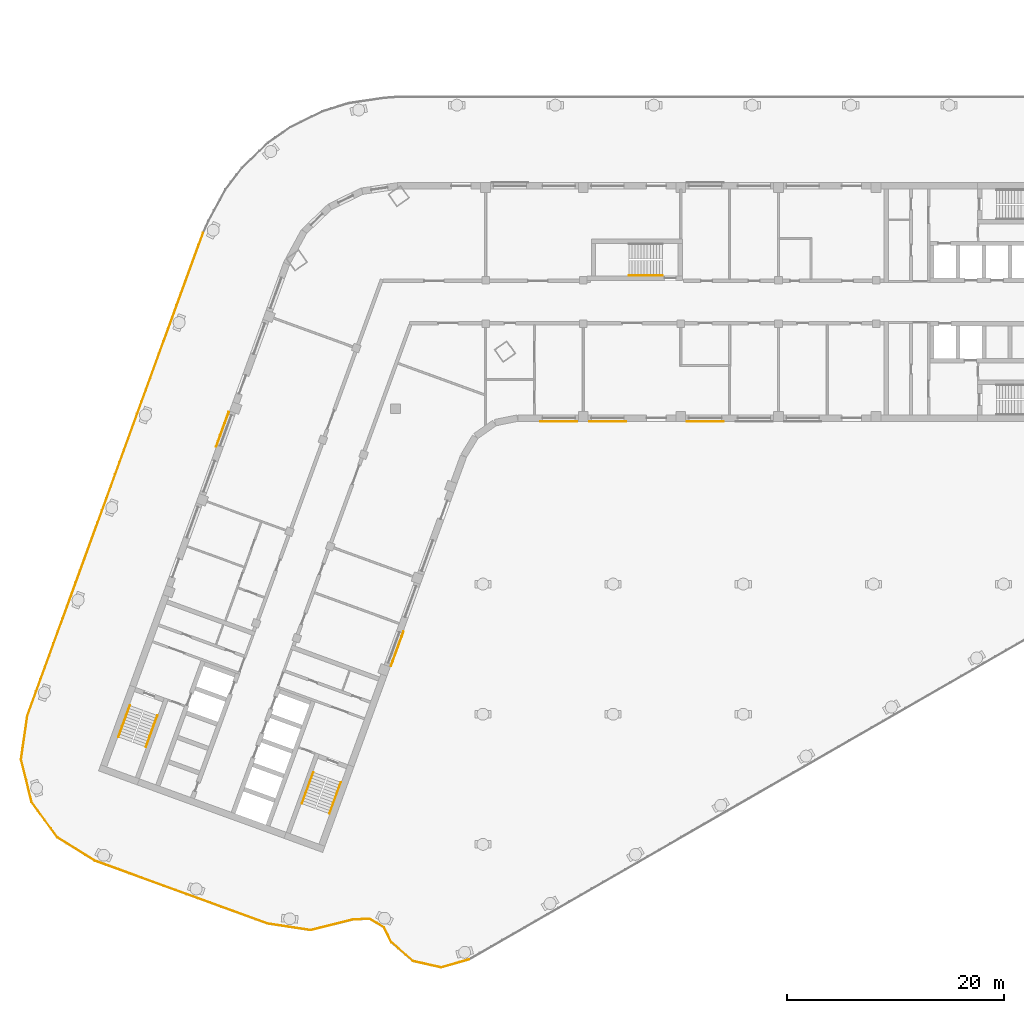
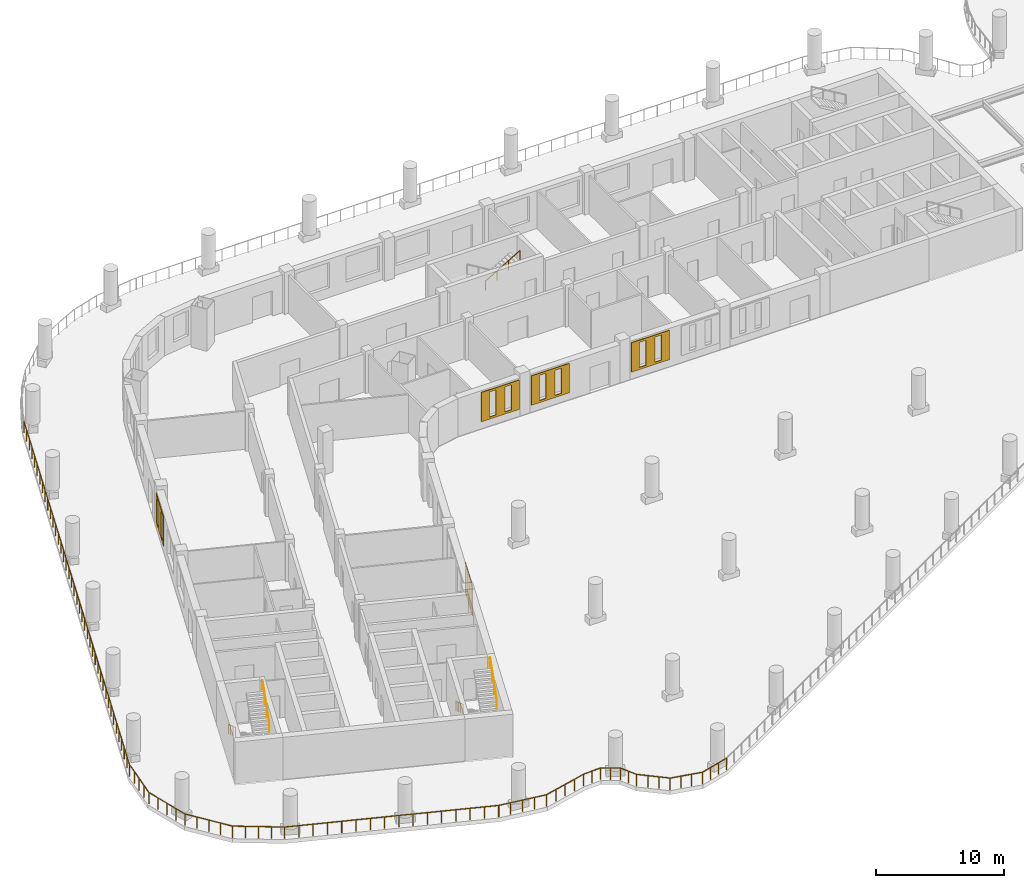
# One storey, part 13 of 18: 8 railings, 5 coverings.
"""IFC4 building model written with IfcOpenShell, lengths in metres."""

import ifcopenshell
import ifcopenshell.guid

model = None  # the IFC model being written
_history = None  # IfcOwnerHistory: only IFC2X3 demands one
_inside = {}  # id of a spatial element -> (the spatial element, [elements in it])
_under = {}  # id of a project, library or spatial element -> (it, [spatial elements below it])
_declared = {}  # id of a project -> (the project, [libraries it declares])
_typed = {}  # id of a type object -> (the type object, [elements of that type])
_made_of = {}  # id of a material, layer set ... -> (it, [elements and type objects made of it])


def new_model(schema):
    """Start an empty IFC model of exactly this schema.

    Asked for "IFC4X3", IfcOpenShell would pick the latest addendum, in which some entities
    have other attributes; the version numbers below select the first issue.
    IFC2X3 requires an IfcOwnerHistory on every rooted entity: one is made here for all.
    """
    global model, _history
    if schema == "IFC4X3":
        model = ifcopenshell.file(schema_version=(4, 3, 0, 0))
    else:
        model = ifcopenshell.file(schema=schema)
    _inside.clear()
    _under.clear()
    _declared.clear()
    _typed.clear()
    _made_of.clear()
    _history = None
    if model.schema == "IFC2X3":
        org = make("IfcOrganization", Name="unknown")
        user = make(
            "IfcPersonAndOrganization",
            ThePerson=make("IfcPerson", FamilyName="unknown"),
            TheOrganization=org,
        )
        app = make(
            "IfcApplication",
            ApplicationDeveloper=org,
            Version="unknown",
            ApplicationFullName="unknown",
            ApplicationIdentifier="unknown",
        )
        _history = make(
            "IfcOwnerHistory",
            OwningUser=user,
            OwningApplication=app,
            ChangeAction="ADDED",
            CreationDate=0,
        )
    return model


def make(cls, **values):
    """One entity of the class cls with the attributes given. An attribute that is None is left unset."""
    return model.create_entity(
        cls, **{name: value for name, value in values.items() if value is not None}
    )


def rooted(cls, **values):
    """An entity with a GlobalId (a new one), such as an element, a storey or a relation."""
    return make(cls, GlobalId=ifcopenshell.guid.new(), OwnerHistory=_history, **values)


def si_unit(unit_type, name, prefix=None):
    """IfcSIUnit, for example si_unit("LENGTHUNIT", "METRE", prefix="MILLI")."""
    return make("IfcSIUnit", UnitType=unit_type, Prefix=prefix, Name=name)


def assignment(units):
    """IfcUnitAssignment: the units of a project."""
    return None if units is None else make("IfcUnitAssignment", Units=units)


def point(xyz):
    """IfcCartesianPoint."""
    return None if xyz is None else make("IfcCartesianPoint", Coordinates=xyz)


def direction(xyz):
    """IfcDirection."""
    return None if xyz is None else make("IfcDirection", DirectionRatios=xyz)


def frame(location, z_axis=None, x_axis=None):
    """IfcAxis2Placement3D, a coordinate frame: its origin and axes. An axis left out is left unset."""
    return make(
        "IfcAxis2Placement3D",
        Location=point(location),
        Axis=direction(z_axis),
        RefDirection=direction(x_axis),
    )


def frame_2d(location, x_axis=None):
    """IfcAxis2Placement2D, a coordinate frame in the plane: its origin and x axis."""
    return make(
        "IfcAxis2Placement2D", Location=point(location), RefDirection=direction(x_axis)
    )


def origin():
    """The frame at (0, 0, 0) with its axes left unset."""
    return frame((0.0, 0.0, 0.0))


def origin_2d():
    """The frame at (0, 0) in the plane with its x axis left unset."""
    return frame_2d((0.0, 0.0))


def place(relative_to, where):
    """IfcLocalPlacement: puts the frame where relative to a parent placement (None: the world)."""
    return make(
        "IfcLocalPlacement", PlacementRelTo=relative_to, RelativePlacement=where
    )


def context(
    kind, dimensions, precision=None, world=None, true_north=None, identifier=None
):
    """IfcGeometricRepresentationContext, for example the 3D "Model" context."""
    return make(
        "IfcGeometricRepresentationContext",
        ContextIdentifier=identifier,
        ContextType=kind,
        CoordinateSpaceDimension=dimensions,
        Precision=precision,
        WorldCoordinateSystem=world,
        TrueNorth=true_north,
    )


def subcontext(parent, identifier, kind, view, scale=None):
    """IfcGeometricRepresentationSubContext, for example "Body" below "Model"."""
    return make(
        "IfcGeometricRepresentationSubContext",
        ContextIdentifier=identifier,
        ContextType=kind,
        ParentContext=parent,
        TargetScale=scale,
        TargetView=view,
    )


def project(units=None, contexts=None):
    """IfcProject with its units and contexts."""
    return rooted(
        "IfcProject",
        Name="project",
        RepresentationContexts=contexts,
        UnitsInContext=assignment(units),
    )


def spatial(cls, under=None, at=None, **own):
    """A site, building, storey or space (cls), placed at a placement, below another one or the project."""
    s = rooted(cls, ObjectPlacement=at, **own)
    if under is not None:
        _under.setdefault(under.id(), (under, []))[1].append(s)
    return s


def polyline(points):
    """IfcPolyline through the points."""
    return make("IfcPolyline", Points=[point(p) for p in points])


def profile(cls, at=None, kind="AREA", **sizes):
    """A parametric profile (cls). Its sizes go by their IFC names, for example OverallWidth=200.0."""
    return make(cls, ProfileType=kind, Position=at, **sizes)


def circle(**sizes):
    """IfcCircleProfileDef."""
    return profile("IfcCircleProfileDef", **sizes)


def outline(outer, holes=None, kind="AREA"):
    """IfcArbitraryClosedProfileDef: a profile drawn as a closed curve; with holes, ...WithVoids."""
    if holes is None:
        return make("IfcArbitraryClosedProfileDef", ProfileType=kind, OuterCurve=outer)
    return make(
        "IfcArbitraryProfileDefWithVoids",
        ProfileType=kind,
        OuterCurve=outer,
        InnerCurves=holes,
    )


def extrude(swept, where, along, depth):
    """IfcExtrudedAreaSolid: the profile swept, set in the frame where, extruded along a direction by depth."""
    return make(
        "IfcExtrudedAreaSolid",
        SweptArea=swept,
        Position=where,
        ExtrudedDirection=direction(along),
        Depth=depth,
    )


def shape(context_of_items, identifier, shape_type, items):
    """IfcShapeRepresentation: the items that make up one representation, for example the "Body"."""
    return make(
        "IfcShapeRepresentation",
        ContextOfItems=context_of_items,
        RepresentationIdentifier=identifier,
        RepresentationType=shape_type,
        Items=items,
    )


def material(Name=None, Category=None):
    """IfcMaterial."""
    return make("IfcMaterial", Name=Name, Category=Category)


def material_profile(
    of_material, cross_section, Name=None, Category=None, Priority=None
):
    """IfcMaterialProfile: a cross section and its material."""
    return make(
        "IfcMaterialProfile",
        Name=Name,
        Material=of_material,
        Profile=cross_section,
        Priority=Priority,
        Category=Category,
    )


def profile_set(profiles, Name=None, composite=None):
    """IfcMaterialProfileSet."""
    return make(
        "IfcMaterialProfileSet",
        Name=Name,
        MaterialProfiles=profiles,
        CompositeProfile=composite,
    )


def made_of(thing, what):
    """Note that an element or type object is made of a material, layer set ...; save() writes the relation."""
    if what is not None:
        _made_of.setdefault(what.id(), (what, []))[1].append(thing)
    return thing


def type_object(cls, material=None, **own):
    """A type object (cls), such as IfcWallType, which elements share."""
    return made_of(rooted(cls, **own), material)


def element(
    cls,
    number,
    at=None,
    inside=None,
    cuts=None,
    type_object=None,
    material=None,
    context=None,
    identifier="Body",
    shape_type=None,
    held_by="IfcProductDefinitionShape",
    body=None,
    shapes=None,
    **own,
):
    """One element of the class cls, such as IfcWall. Its Tag is "e" and its number.

    at: its placement. inside: the storey or other place that contains it. cuts: it is an
    opening in that element (IfcRelVoidsElement). A single representation is given by context,
    identifier, shape_type and body (its items); several are given by shapes. held_by: the class
    of the entity that holds the representations. save() writes the other relations.
    """
    e = rooted(cls, Tag="e%d" % number, ObjectPlacement=at, **own)
    if body is not None:
        shapes = [shape(context, identifier, shape_type, body)]
    if shapes is not None:
        e.Representation = make(held_by, Representations=shapes)
    if inside is not None:
        _inside.setdefault(inside.id(), (inside, []))[1].append(e)
    if cuts is not None:
        rooted(
            "IfcRelVoidsElement", RelatingBuildingElement=cuts, RelatedOpeningElement=e
        )
    if type_object is not None:
        _typed.setdefault(type_object.id(), (type_object, []))[1].append(e)
    return made_of(e, material)


def aggregate(whole, parts):
    """IfcRelAggregates: a whole, such as a stair, and the parts it consists of."""
    return rooted("IfcRelAggregates", RelatingObject=whole, RelatedObjects=parts)


def save(model, path):
    """Write the relations noted so far, then the file.

    IfcRelAggregates (storeys below a building ...), IfcRelContainedInSpatialStructure (elements
    in a storey), IfcRelDefinesByType, IfcRelAssociatesMaterial and IfcRelDeclares: one each for
    every whole, place, type object, material and project.
    """
    for whole, parts in _under.values():
        aggregate(whole, parts)
    for where, things in _inside.values():
        rooted(
            "IfcRelContainedInSpatialStructure",
            RelatedElements=things,
            RelatingStructure=where,
        )
    for kind, things in _typed.values():
        rooted("IfcRelDefinesByType", RelatedObjects=things, RelatingType=kind)
    for what, things in _made_of.values():
        rooted("IfcRelAssociatesMaterial", RelatedObjects=things, RelatingMaterial=what)
    for by, libraries in _declared.values():
        rooted("IfcRelDeclares", RelatingContext=by, RelatedDefinitions=libraries)
    model.write(path)


model = new_model("IFC4")

# Units and contexts
model_context = context("Model", 3, precision=1e-05, world=origin(), true_north=direction((0.0, 1.0)))
body_context = subcontext(model_context, "Body", "Model", "MODEL_VIEW")
ifc_project = project(units=[si_unit("LENGTHUNIT", "METRE"), si_unit("AREAUNIT", "SQUARE_METRE"), si_unit("VOLUMEUNIT", "CUBIC_METRE"), si_unit("PLANEANGLEUNIT", "RADIAN"), si_unit("MASSUNIT", "GRAM", prefix="KILO")], contexts=[model_context])

# Site, building, storey
site_placement = place(None, origin())
site = spatial("IfcSite", under=ifc_project, at=site_placement, CompositionType="ELEMENT")
building_placement = place(site_placement, origin())
building = spatial("IfcBuilding", under=site, at=building_placement, Name="Skarvind Civic Tower", CompositionType="ELEMENT")
storey_placement = place(building_placement, frame((0.0, 0.0, 27.5)))
storey = spatial("IfcBuildingStorey", under=building, at=storey_placement, Name="L05", CompositionType="ELEMENT", Elevation=27.5)

# Railings
ifc_material_1 = material(Name="Stainless steel balustrade", Category="steel")
railing_type_1 = type_object("IfcRailingType", Name="GR1 GUARD 1100", PredefinedType="GUARDRAIL", material=ifc_material_1)
railing_1_placement = place(storey_placement, frame((47.569580078125, 67.233154296875, 0.0)))
element("IfcRailing", 1, at=railing_1_placement, inside=storey, type_object=railing_type_1, Name="PODIUM ROOF TERRACE GUARD", PredefinedType="GUARDRAIL", context=body_context, shape_type="SweptSolid", body=[
    extrude(circle(Radius=0.02392578125, at=origin_2d()), frame((0.0, 0.0, 1.076171875), z_axis=(-0.755807561492, 0.654793807233, 0.0), x_axis=(-0.654793807233, -0.755807561492, 0.0)), (0.0, 0.0, 1.0), 2.6513671875),
    extrude(circle(Radius=0.02392578125, at=origin_2d()), frame((-2.00390625, 1.736083984375, 1.076171875), z_axis=(-0.435716587879, 0.900083915559, 0.0), x_axis=(-0.900083915559, -0.435716587879, 0.0)), (0.0, 0.0, 1.0), 1.516845703125),
    extrude(circle(Radius=0.02392578125, at=origin_2d()), frame((-2.664794921875, 3.101318359375, 1.076171875), z_axis=(-0.859465608648, 0.511193571508, 0.0), x_axis=(-0.511193571508, -0.859465608648, 0.0)), (0.0, 0.0, 1.0), 1.5673828125),
    extrude(circle(Radius=0.02392578125, at=origin_2d()), frame((-4.011962890625, 3.902587890625, 1.076171875), z_axis=(-0.998915823744, -0.046552949132, 0.0), x_axis=(0.046552949132, -0.998915823744, 0.0)), (0.0, 0.0, 1.0), 1.547119140625),
    extrude(circle(Radius=0.02392578125, at=origin_2d()), frame((-5.557373046875, 3.83056640625, 1.076171875), z_axis=(-0.970381309987, -0.241578379055, 0.0), x_axis=(0.241578379055, -0.970381309987, 0.0)), (0.0, 0.0, 1.0), 4.021240234375),
    extrude(circle(Radius=0.02392578125, at=origin_2d()), frame((-9.45947265625, 2.859130859375, 1.076171875), z_axis=(-0.98856906932, 0.150768681045, 0.0), x_axis=(-0.150768681045, -0.98856906932, 0.0)), (0.0, 0.0, 1.0), 4.001220703125),
    extrude(circle(Radius=0.02392578125, at=origin_2d()), frame((-13.4150390625, 3.46240234375, 1.076171875), z_axis=(-0.939691525945, 0.34202315136, 0.0), x_axis=(-0.34202315136, -0.939691525945, 0.0)), (0.0, 0.0, 1.0), 16.93603515625),
    extrude(circle(Radius=0.02099609375, at=origin_2d()), origin(), (0.0, 0.0, 1.0), 1.052001953125),
    extrude(circle(Radius=0.02099609375, at=origin_2d()), frame((-0.66796875, 0.57861328125, 0.0)), (0.0, 0.0, 1.0), 1.052001953125),
    extrude(circle(Radius=0.02099609375, at=origin_2d()), frame((-1.3359375, 1.157470703125, 0.0)), (0.0, 0.0, 1.0), 1.052001953125),
    extrude(circle(Radius=0.02099609375, at=origin_2d()), frame((-2.00390625, 1.736083984375, 0.0)), (0.0, 0.0, 1.0), 1.052001953125),
    extrude(circle(Radius=0.02099609375, at=origin_2d()), frame((-2.33447265625, 2.418701171875, 0.0)), (0.0, 0.0, 1.0), 1.052001953125),
    extrude(circle(Radius=0.02099609375, at=origin_2d()), frame((-2.664794921875, 3.101318359375, 0.0)), (0.0, 0.0, 1.0), 1.052001953125),
    extrude(circle(Radius=0.02099609375, at=origin_2d()), frame((-3.33837890625, 3.501953125, 0.0)), (0.0, 0.0, 1.0), 1.052001953125),
    extrude(circle(Radius=0.02099609375, at=origin_2d()), frame((-4.011962890625, 3.902587890625, 0.0)), (0.0, 0.0, 1.0), 1.052001953125),
    extrude(circle(Radius=0.02099609375, at=origin_2d()), frame((-4.78466796875, 3.86669921875, 0.0)), (0.0, 0.0, 1.0), 1.052001953125),
    extrude(circle(Radius=0.02099609375, at=origin_2d()), frame((-5.557373046875, 3.83056640625, 0.0)), (0.0, 0.0, 1.0), 1.052001953125),
    extrude(circle(Radius=0.02099609375, at=origin_2d()), frame((-6.532958984375, 3.587646484375, 0.0)), (0.0, 0.0, 1.0), 1.052001953125),
    extrude(circle(Radius=0.02099609375, at=origin_2d()), frame((-7.50830078125, 3.3447265625, 0.0)), (0.0, 0.0, 1.0), 1.052001953125),
    extrude(circle(Radius=0.02099609375, at=origin_2d()), frame((-8.48388671875, 3.10205078125, 0.0)), (0.0, 0.0, 1.0), 1.052001953125),
    extrude(circle(Radius=0.02099609375, at=origin_2d()), frame((-9.45947265625, 2.859130859375, 0.0)), (0.0, 0.0, 1.0), 1.052001953125),
    extrude(circle(Radius=0.02099609375, at=origin_2d()), frame((-10.4482421875, 3.010009765625, 0.0)), (0.0, 0.0, 1.0), 1.052001953125),
    extrude(circle(Radius=0.02099609375, at=origin_2d()), frame((-11.437255859375, 3.16064453125, 0.0)), (0.0, 0.0, 1.0), 1.052001953125),
    extrude(circle(Radius=0.02099609375, at=origin_2d()), frame((-12.42626953125, 3.3115234375, 0.0)), (0.0, 0.0, 1.0), 1.052001953125),
    extrude(circle(Radius=0.02099609375, at=origin_2d()), frame((-13.4150390625, 3.46240234375, 0.0)), (0.0, 0.0, 1.0), 1.052001953125),
    extrude(circle(Radius=0.02099609375, at=origin_2d()), frame((-14.47607421875, 3.8486328125, 0.0)), (0.0, 0.0, 1.0), 1.052001953125),
    extrude(circle(Radius=0.02099609375, at=origin_2d()), frame((-15.536865234375, 4.234619140625, 0.0)), (0.0, 0.0, 1.0), 1.052001953125),
    extrude(circle(Radius=0.02099609375, at=origin_2d()), frame((-16.597900390625, 4.620849609375, 0.0)), (0.0, 0.0, 1.0), 1.052001953125),
    extrude(circle(Radius=0.02099609375, at=origin_2d()), frame((-17.658935546875, 5.007080078125, 0.0)), (0.0, 0.0, 1.0), 1.052001953125),
    extrude(circle(Radius=0.02099609375, at=origin_2d()), frame((-18.719970703125, 5.393310546875, 0.0)), (0.0, 0.0, 1.0), 1.052001953125),
    extrude(circle(Radius=0.02099609375, at=origin_2d()), frame((-19.78076171875, 5.779296875, 0.0)), (0.0, 0.0, 1.0), 1.052001953125),
    extrude(circle(Radius=0.02099609375, at=origin_2d()), frame((-20.841796875, 6.16552734375, 0.0)), (0.0, 0.0, 1.0), 1.052001953125),
    extrude(circle(Radius=0.02099609375, at=origin_2d()), frame((-21.90283203125, 6.5517578125, 0.0)), (0.0, 0.0, 1.0), 1.052001953125),
    extrude(circle(Radius=0.02099609375, at=origin_2d()), frame((-22.9638671875, 6.93798828125, 0.0)), (0.0, 0.0, 1.0), 1.052001953125),
    extrude(circle(Radius=0.02099609375, at=origin_2d()), frame((-24.024658203125, 7.323974609375, 0.0)), (0.0, 0.0, 1.0), 1.052001953125),
    extrude(circle(Radius=0.02099609375, at=origin_2d()), frame((-25.085693359375, 7.710205078125, 0.0)), (0.0, 0.0, 1.0), 1.052001953125),
    extrude(circle(Radius=0.02099609375, at=origin_2d()), frame((-26.146728515625, 8.096435546875, 0.0)), (0.0, 0.0, 1.0), 1.052001953125),
    extrude(circle(Radius=0.02099609375, at=origin_2d()), frame((-27.207763671875, 8.482666015625, 0.0)), (0.0, 0.0, 1.0), 1.052001953125),
    extrude(circle(Radius=0.02099609375, at=origin_2d()), frame((-28.2685546875, 8.86865234375, 0.0)), (0.0, 0.0, 1.0), 1.052001953125),
    extrude(circle(Radius=0.02099609375, at=origin_2d()), frame((-29.32958984375, 9.2548828125, 0.0)), (0.0, 0.0, 1.0), 1.052001953125),
])
railing_2_placement = place(storey_placement, frame((18.239990234375, 76.488037109375, 0.0)))
element("IfcRailing", 2, at=railing_2_placement, inside=storey, type_object=railing_type_1, Name="PODIUM ROOF TERRACE GUARD", PredefinedType="GUARDRAIL", context=body_context, shape_type="SweptSolid", body=[
    extrude(circle(Radius=0.02392578125, at=origin_2d()), frame((0.0, 0.0, 1.076171875), z_axis=(-0.849695884496, 0.527273082824, 0.0), x_axis=(-0.527273082824, -0.849695884496, 0.0)), (0.0, 0.0, 1.0), 4.061767578125),
    extrude(circle(Radius=0.02392578125, at=origin_2d()), frame((-3.451171875, 2.1416015625, 1.076171875), z_axis=(-0.588594309759, 0.808428561172, 0.0), x_axis=(-0.808428561172, -0.588594309759, 0.0)), (0.0, 0.0, 1.0), 4.052490234375),
    extrude(circle(Radius=0.02392578125, at=origin_2d()), frame((-5.83642578125, 5.417724609375, 1.076171875), z_axis=(-0.240933395477, 0.970541652349, 0.0), x_axis=(-0.970541652349, -0.240933395477, 0.0)), (0.0, 0.0, 1.0), 4.05224609375),
    extrude(circle(Radius=0.02392578125, at=origin_2d()), frame((-6.812744140625, 9.3505859375, 1.076171875), z_axis=(0.142220776021, 0.989834961429, 0.0), x_axis=(-0.989834961429, 0.142220776021, 0.0)), (0.0, 0.0, 1.0), 4.0615234375),
    extrude(circle(Radius=0.02392578125, at=origin_2d()), frame((-6.235107421875, 13.370849609375, 1.076171875), z_axis=(0.3420204203, 0.939692519976, 0.0), x_axis=(-0.939692519976, 0.3420204203, 0.0)), (0.0, 0.0, 1.0), 47.350341796875),
    extrude(circle(Radius=0.02099609375, at=origin_2d()), origin(), (0.0, 0.0, 1.0), 1.052001953125),
    extrude(circle(Radius=0.02099609375, at=origin_2d()), frame((-0.86279296875, 0.535400390625, 0.0)), (0.0, 0.0, 1.0), 1.052001953125),
    extrude(circle(Radius=0.02099609375, at=origin_2d()), frame((-1.7255859375, 1.07080078125, 0.0)), (0.0, 0.0, 1.0), 1.052001953125),
    extrude(circle(Radius=0.02099609375, at=origin_2d()), frame((-2.58837890625, 1.606201171875, 0.0)), (0.0, 0.0, 1.0), 1.052001953125),
    extrude(circle(Radius=0.02099609375, at=origin_2d()), frame((-3.451171875, 2.1416015625, 0.0)), (0.0, 0.0, 1.0), 1.052001953125),
    extrude(circle(Radius=0.02099609375, at=origin_2d()), frame((-4.04736328125, 2.960693359375, 0.0)), (0.0, 0.0, 1.0), 1.052001953125),
    extrude(circle(Radius=0.02099609375, at=origin_2d()), frame((-4.643798828125, 3.77978515625, 0.0)), (0.0, 0.0, 1.0), 1.052001953125),
    extrude(circle(Radius=0.02099609375, at=origin_2d()), frame((-5.240234375, 4.5986328125, 0.0)), (0.0, 0.0, 1.0), 1.052001953125),
    extrude(circle(Radius=0.02099609375, at=origin_2d()), frame((-5.83642578125, 5.417724609375, 0.0)), (0.0, 0.0, 1.0), 1.052001953125),
    extrude(circle(Radius=0.02099609375, at=origin_2d()), frame((-6.08056640625, 6.40087890625, 0.0)), (0.0, 0.0, 1.0), 1.052001953125),
    extrude(circle(Radius=0.02099609375, at=origin_2d()), frame((-6.32470703125, 7.38427734375, 0.0)), (0.0, 0.0, 1.0), 1.052001953125),
    extrude(circle(Radius=0.02099609375, at=origin_2d()), frame((-6.568603515625, 8.367431640625, 0.0)), (0.0, 0.0, 1.0), 1.052001953125),
    extrude(circle(Radius=0.02099609375, at=origin_2d()), frame((-6.812744140625, 9.3505859375, 0.0)), (0.0, 0.0, 1.0), 1.052001953125),
    extrude(circle(Radius=0.02099609375, at=origin_2d()), frame((-6.66845703125, 10.355712890625, 0.0)), (0.0, 0.0, 1.0), 1.052001953125),
    extrude(circle(Radius=0.02099609375, at=origin_2d()), frame((-6.52392578125, 11.36083984375, 0.0)), (0.0, 0.0, 1.0), 1.052001953125),
    extrude(circle(Radius=0.02099609375, at=origin_2d()), frame((-6.37939453125, 12.36572265625, 0.0)), (0.0, 0.0, 1.0), 1.052001953125),
    extrude(circle(Radius=0.02099609375, at=origin_2d()), frame((-6.235107421875, 13.370849609375, 0.0)), (0.0, 0.0, 1.0), 1.052001953125),
    extrude(circle(Radius=0.02099609375, at=origin_2d()), frame((-5.830322265625, 14.483154296875, 0.0)), (0.0, 0.0, 1.0), 1.052001953125),
    extrude(circle(Radius=0.02099609375, at=origin_2d()), frame((-5.42529296875, 15.595703125, 0.0)), (0.0, 0.0, 1.0), 1.052001953125),
    extrude(circle(Radius=0.02099609375, at=origin_2d()), frame((-5.0205078125, 16.7080078125, 0.0)), (0.0, 0.0, 1.0), 1.052001953125),
    extrude(circle(Radius=0.02099609375, at=origin_2d()), frame((-4.61572265625, 17.8203125, 0.0)), (0.0, 0.0, 1.0), 1.052001953125),
    extrude(circle(Radius=0.02099609375, at=origin_2d()), frame((-4.210693359375, 18.9326171875, 0.0)), (0.0, 0.0, 1.0), 1.052001953125),
    extrude(circle(Radius=0.02099609375, at=origin_2d()), frame((-3.805908203125, 20.045166015625, 0.0)), (0.0, 0.0, 1.0), 1.052001953125),
    extrude(circle(Radius=0.02099609375, at=origin_2d()), frame((-3.401123046875, 21.157470703125, 0.0)), (0.0, 0.0, 1.0), 1.052001953125),
    extrude(circle(Radius=0.02099609375, at=origin_2d()), frame((-2.99609375, 22.269775390625, 0.0)), (0.0, 0.0, 1.0), 1.052001953125),
    extrude(circle(Radius=0.02099609375, at=origin_2d()), frame((-2.59130859375, 23.382080078125, 0.0)), (0.0, 0.0, 1.0), 1.052001953125),
    extrude(circle(Radius=0.02099609375, at=origin_2d()), frame((-2.1865234375, 24.49462890625, 0.0)), (0.0, 0.0, 1.0), 1.052001953125),
    extrude(circle(Radius=0.02099609375, at=origin_2d()), frame((-1.781494140625, 25.60693359375, 0.0)), (0.0, 0.0, 1.0), 1.052001953125),
    extrude(circle(Radius=0.02099609375, at=origin_2d()), frame((-1.376708984375, 26.71923828125, 0.0)), (0.0, 0.0, 1.0), 1.052001953125),
    extrude(circle(Radius=0.02099609375, at=origin_2d()), frame((-0.9716796875, 27.831787109375, 0.0)), (0.0, 0.0, 1.0), 1.052001953125),
    extrude(circle(Radius=0.02099609375, at=origin_2d()), frame((-0.56689453125, 28.944091796875, 0.0)), (0.0, 0.0, 1.0), 1.052001953125),
    extrude(circle(Radius=0.02099609375, at=origin_2d()), frame((-0.162109375, 30.056396484375, 0.0)), (0.0, 0.0, 1.0), 1.052001953125),
    extrude(circle(Radius=0.02099609375, at=origin_2d()), frame((0.242919921875, 31.168701171875, 0.0)), (0.0, 0.0, 1.0), 1.052001953125),
    extrude(circle(Radius=0.02099609375, at=origin_2d()), frame((0.647705078125, 32.28125, 0.0)), (0.0, 0.0, 1.0), 1.052001953125),
    extrude(circle(Radius=0.02099609375, at=origin_2d()), frame((1.052490234375, 33.3935546875, 0.0)), (0.0, 0.0, 1.0), 1.052001953125),
    extrude(circle(Radius=0.02099609375, at=origin_2d()), frame((1.45751953125, 34.505859375, 0.0)), (0.0, 0.0, 1.0), 1.052001953125),
    extrude(circle(Radius=0.02099609375, at=origin_2d()), frame((1.8623046875, 35.6181640625, 0.0)), (0.0, 0.0, 1.0), 1.052001953125),
    extrude(circle(Radius=0.02099609375, at=origin_2d()), frame((2.26708984375, 36.730712890625, 0.0)), (0.0, 0.0, 1.0), 1.052001953125),
    extrude(circle(Radius=0.02099609375, at=origin_2d()), frame((2.672119140625, 37.843017578125, 0.0)), (0.0, 0.0, 1.0), 1.052001953125),
    extrude(circle(Radius=0.02099609375, at=origin_2d()), frame((3.076904296875, 38.955322265625, 0.0)), (0.0, 0.0, 1.0), 1.052001953125),
    extrude(circle(Radius=0.02099609375, at=origin_2d()), frame((3.481689453125, 40.06787109375, 0.0)), (0.0, 0.0, 1.0), 1.052001953125),
    extrude(circle(Radius=0.02099609375, at=origin_2d()), frame((3.88671875, 41.18017578125, 0.0)), (0.0, 0.0, 1.0), 1.052001953125),
    extrude(circle(Radius=0.02099609375, at=origin_2d()), frame((4.29150390625, 42.29248046875, 0.0)), (0.0, 0.0, 1.0), 1.052001953125),
    extrude(circle(Radius=0.02099609375, at=origin_2d()), frame((4.6962890625, 43.40478515625, 0.0)), (0.0, 0.0, 1.0), 1.052001953125),
    extrude(circle(Radius=0.02099609375, at=origin_2d()), frame((5.101318359375, 44.517333984375, 0.0)), (0.0, 0.0, 1.0), 1.052001953125),
    extrude(circle(Radius=0.02099609375, at=origin_2d()), frame((5.506103515625, 45.629638671875, 0.0)), (0.0, 0.0, 1.0), 1.052001953125),
    extrude(circle(Radius=0.02099609375, at=origin_2d()), frame((5.9111328125, 46.741943359375, 0.0)), (0.0, 0.0, 1.0), 1.052001953125),
    extrude(circle(Radius=0.02099609375, at=origin_2d()), frame((6.31591796875, 47.8544921875, 0.0)), (0.0, 0.0, 1.0), 1.052001953125),
    extrude(circle(Radius=0.02099609375, at=origin_2d()), frame((6.720703125, 48.966796875, 0.0)), (0.0, 0.0, 1.0), 1.052001953125),
    extrude(circle(Radius=0.02099609375, at=origin_2d()), frame((7.125732421875, 50.0791015625, 0.0)), (0.0, 0.0, 1.0), 1.052001953125),
    extrude(circle(Radius=0.02099609375, at=origin_2d()), frame((7.530517578125, 51.19140625, 0.0)), (0.0, 0.0, 1.0), 1.052001953125),
    extrude(circle(Radius=0.02099609375, at=origin_2d()), frame((7.935302734375, 52.303955078125, 0.0)), (0.0, 0.0, 1.0), 1.052001953125),
    extrude(circle(Radius=0.02099609375, at=origin_2d()), frame((8.34033203125, 53.416259765625, 0.0)), (0.0, 0.0, 1.0), 1.052001953125),
    extrude(circle(Radius=0.02099609375, at=origin_2d()), frame((8.7451171875, 54.528564453125, 0.0)), (0.0, 0.0, 1.0), 1.052001953125),
    extrude(circle(Radius=0.02099609375, at=origin_2d()), frame((9.14990234375, 55.640869140625, 0.0)), (0.0, 0.0, 1.0), 1.052001953125),
    extrude(circle(Radius=0.02099609375, at=origin_2d()), frame((9.554931640625, 56.75341796875, 0.0)), (0.0, 0.0, 1.0), 1.052001953125),
    extrude(circle(Radius=0.02099609375, at=origin_2d()), frame((9.959716796875, 57.86572265625, 0.0)), (0.0, 0.0, 1.0), 1.052001953125),
])
railing_3_placement = place(storey_placement, frame((52.712158203125, 67.3837890625, 0.0)))
element("IfcRailing", 3, at=railing_3_placement, inside=storey, type_object=railing_type_1, Name="PODIUM ROOF TERRACE GUARD", PredefinedType="GUARDRAIL", context=body_context, shape_type="SweptSolid", body=[
    extrude(circle(Radius=0.02392578125, at=origin_2d()), frame((0.0, 0.0, 1.076171875), z_axis=(-0.962117496561, -0.272635145958, 0.0), x_axis=(0.272635145958, -0.962117496561, 0.0)), (0.0, 0.0, 1.0), 2.65966796875),
    extrude(circle(Radius=0.02392578125, at=origin_2d()), frame((-2.558837890625, -0.72509765625, 1.076171875), z_axis=(-0.976163180702, 0.217037887574, 0.0), x_axis=(-0.217037887574, -0.976163180702, 0.0)), (0.0, 0.0, 1.0), 2.646728515625),
    extrude(circle(Radius=0.02099609375, at=origin_2d()), origin(), (0.0, 0.0, 1.0), 1.052001953125),
    extrude(circle(Radius=0.02099609375, at=origin_2d()), frame((-0.85302734375, -0.24169921875, 0.0)), (0.0, 0.0, 1.0), 1.052001953125),
    extrude(circle(Radius=0.02099609375, at=origin_2d()), frame((-1.705810546875, -0.4833984375, 0.0)), (0.0, 0.0, 1.0), 1.052001953125),
    extrude(circle(Radius=0.02099609375, at=origin_2d()), frame((-2.558837890625, -0.72509765625, 0.0)), (0.0, 0.0, 1.0), 1.052001953125),
    extrude(circle(Radius=0.02099609375, at=origin_2d()), frame((-3.420166015625, -0.53369140625, 0.0)), (0.0, 0.0, 1.0), 1.052001953125),
    extrude(circle(Radius=0.02099609375, at=origin_2d()), frame((-4.28125, -0.342041015625, 0.0)), (0.0, 0.0, 1.0), 1.052001953125),
    extrude(circle(Radius=0.02099609375, at=origin_2d()), frame((-5.142578125, -0.150634765625, 0.0)), (0.0, 0.0, 1.0), 1.052001953125),
])
ifc_material_2 = material(Name="Painted steel handrail", Category="steel")
railing_type_2 = type_object("IfcRailingType", Name="Stair handrail 900", PredefinedType="HANDRAIL", material=ifc_material_2)
railing_4_placement = place(storey_placement, frame((38.362060546875, 84.64794921875, 0.166748046875)))
element("IfcRailing", 4, at=railing_4_placement, inside=storey, type_object=railing_type_2, Name="Stair handrail", PredefinedType="HANDRAIL", context=body_context, shape_type="SweptSolid", body=[
    extrude(circle(Radius=0.02392578125, at=origin_2d()), frame((0.0, 0.0, 0.8759765625), z_axis=(-0.293908055923, -0.807480881337, 0.511461319103), x_axis=(0.939689235759, -0.342029443467, 0.0)), (0.0, 0.0, 1.0), 3.584228515625),
    extrude(circle(Radius=0.02099609375, at=origin_2d()), origin(), (0.0, 0.0, 1.0), 0.851806640625),
    extrude(circle(Radius=0.02099609375, at=origin_2d()), frame((-0.35107421875, -0.96484375, 0.611083984375)), (0.0, 0.0, 1.0), 0.851806640625),
    extrude(circle(Radius=0.02099609375, at=origin_2d()), frame((-0.702392578125, -1.929443359375, 1.22216796875)), (0.0, 0.0, 1.0), 0.851806640625),
    extrude(circle(Radius=0.02099609375, at=origin_2d()), frame((-1.053466796875, -2.894287109375, 1.833251953125)), (0.0, 0.0, 1.0), 0.851806640625),
])
railing_5_placement = place(storey_placement, frame((39.845703125, 80.830078125, 2.166748046875)))
element("IfcRailing", 5, at=railing_5_placement, inside=storey, type_object=railing_type_2, Name="Stair handrail", PredefinedType="HANDRAIL", context=body_context, shape_type="SweptSolid", body=[
    extrude(circle(Radius=0.02392578125, at=origin_2d()), frame((0.0, 0.0, 0.8759765625), z_axis=(0.293908055923, 0.807480881337, 0.511461319103), x_axis=(-0.939689235759, 0.342029443467, 0.0)), (0.0, 0.0, 1.0), 3.584228515625),
    extrude(circle(Radius=0.02099609375, at=origin_2d()), origin(), (0.0, 0.0, 1.0), 0.851806640625),
    extrude(circle(Radius=0.02099609375, at=origin_2d()), frame((0.35107421875, 0.96484375, 0.611083984375)), (0.0, 0.0, 1.0), 0.851806640625),
    extrude(circle(Radius=0.02099609375, at=origin_2d()), frame((0.702392578125, 1.929443359375, 1.22216796875)), (0.0, 0.0, 1.0), 0.851806640625),
    extrude(circle(Radius=0.02099609375, at=origin_2d()), frame((1.053466796875, 2.894287109375, 1.833251953125)), (0.0, 0.0, 1.0), 0.851806640625),
])
railing_6_placement = place(storey_placement, frame((21.447509765625, 90.80419921875, 0.166748046875)))
element("IfcRailing", 6, at=railing_6_placement, inside=storey, type_object=railing_type_2, Name="Stair handrail", PredefinedType="HANDRAIL", context=body_context, shape_type="SweptSolid", body=[
    extrude(circle(Radius=0.02392578125, at=origin_2d()), frame((0.0, 0.0, 0.8759765625), z_axis=(-0.293845824691, -0.807497044902, 0.511471557163), x_axis=(0.939714709796, -0.34195944817, 0.0)), (0.0, 0.0, 1.0), 3.584228515625),
    extrude(circle(Radius=0.02099609375, at=origin_2d()), origin(), (0.0, 0.0, 1.0), 0.851806640625),
    extrude(circle(Radius=0.02099609375, at=origin_2d()), frame((-0.35107421875, -0.96484375, 0.611083984375)), (0.0, 0.0, 1.0), 0.851806640625),
    extrude(circle(Radius=0.02099609375, at=origin_2d()), frame((-0.7021484375, -1.929443359375, 1.22216796875)), (0.0, 0.0, 1.0), 0.851806640625),
    extrude(circle(Radius=0.02099609375, at=origin_2d()), frame((-1.05322265625, -2.894287109375, 1.833251953125)), (0.0, 0.0, 1.0), 0.851806640625),
])
railing_7_placement = place(storey_placement, frame((22.931396484375, 86.986572265625, 2.166748046875)))
element("IfcRailing", 7, at=railing_7_placement, inside=storey, type_object=railing_type_2, Name="Stair handrail", PredefinedType="HANDRAIL", context=body_context, shape_type="SweptSolid", body=[
    extrude(circle(Radius=0.02392578125, at=origin_2d()), frame((0.0, 0.0, 0.8759765625), z_axis=(0.293908055923, 0.807480881337, 0.511461319103), x_axis=(-0.939689235759, 0.342029443467, 0.0)), (0.0, 0.0, 1.0), 3.584228515625),
    extrude(circle(Radius=0.02099609375, at=origin_2d()), origin(), (0.0, 0.0, 1.0), 0.851806640625),
    extrude(circle(Radius=0.02099609375, at=origin_2d()), frame((0.35107421875, 0.96484375, 0.611083984375)), (0.0, 0.0, 1.0), 0.851806640625),
    extrude(circle(Radius=0.02099609375, at=origin_2d()), frame((0.702392578125, 1.929443359375, 1.22216796875)), (0.0, 0.0, 1.0), 0.851806640625),
    extrude(circle(Radius=0.02099609375, at=origin_2d()), frame((1.053466796875, 2.894287109375, 1.833251953125)), (0.0, 0.0, 1.0), 0.851806640625),
])
railing_8_placement = place(storey_placement, frame((67.469970703125, 130.449951171875, 2.166748046875)))
element("IfcRailing", 8, at=railing_8_placement, inside=storey, type_object=railing_type_2, Name="Stair handrail", PredefinedType="HANDRAIL", context=body_context, shape_type="SweptSolid", body=[
    extrude(circle(Radius=0.02392578125, at=origin_2d()), frame((0.0, 0.0, 0.8759765625), z_axis=(0.859308565015, 0.0, 0.511457515432), x_axis=(0.0, 1.0, 0.0)), (0.0, 0.0, 1.0), 3.58447265625),
    extrude(circle(Radius=0.02099609375, at=origin_2d()), origin(), (0.0, 0.0, 1.0), 0.851806640625),
    extrude(circle(Radius=0.02099609375, at=origin_2d()), frame((1.026611328125, 0.0, 0.611083984375)), (0.0, 0.0, 1.0), 0.851806640625),
    extrude(circle(Radius=0.02099609375, at=origin_2d()), frame((2.053466796875, 0.0, 1.22216796875)), (0.0, 0.0, 1.0), 0.851806640625),
    extrude(circle(Radius=0.02099609375, at=origin_2d()), frame((3.080078125, 0.0, 1.833251953125)), (0.0, 0.0, 1.0), 0.851806640625),
])

# Coverings
ifc_material_3 = material(Name="Terracotta", Category="masonry")
ifc_material_profile_1 = material_profile(ifc_material_3, outline(polyline([(-1.699951171875, -1.39990234375), (1.699951171875, -1.39990234375), (1.699951171875, 1.39990234375), (-1.699951171875, 1.39990234375), (-1.699951171875, -1.39990234375)]), holes=[polyline([(-1.0, -1.18994140625), (-0.39990234375, -1.18994140625), (-0.39990234375, 1.18994140625), (-1.0, 1.18994140625), (-1.0, -1.18994140625)]), polyline([(0.39990234375, -1.18994140625), (1.0, -1.18994140625), (1.0, 1.18994140625), (0.39990234375, 1.18994140625), (0.39990234375, -1.18994140625)])]), Name="TERRACOTTA SCREEN 3400 x 2800, SLIT PITCH 1400")
ifc_profile_set_1 = profile_set([ifc_material_profile_1], Name="Terracotta")
covering_type_1 = type_object("IfcCoveringType", Name="TERRACOTTA SCREEN 3400 x 2800, SLIT PITCH 1400", PredefinedType="CLADDING", material=ifc_profile_set_1)
for number, where, z_axis, x_axis, name in (
    (9, (74.5, 117.0, 2.10009765625), (0.0, -1.0, 0.0), (1.0, 0.0, 0.0), "TERRACOTTA SCREEN"),
    (10, (65.5, 117.0, 2.10009765625), (0.0, -1.0, 0.0), (1.0, 0.0, 0.0), "TERRACOTTA SCREEN"),
    (11, (61.0, 117.0, 2.10009765625), (0.0, -1.0, 0.0), (1.0, 0.0, 0.0), "TERRACOTTA SCREEN"),
):
    element("IfcCovering", number, at=place(storey_placement, frame(where, z_axis=z_axis, x_axis=x_axis)), inside=storey, type_object=covering_type_1, Name=name, PredefinedType="CLADDING", context=body_context, shape_type="SweptSolid", body=[
        extrude(outline(polyline([(-1.699951171875, -1.39990234375), (1.699951171875, -1.39990234375), (1.699951171875, 1.39990234375), (-1.699951171875, 1.39990234375), (-1.699951171875, -1.39990234375)]), holes=[polyline([(-1.0, -1.18994140625), (-0.39990234375, -1.18994140625), (-0.39990234375, 1.18994140625), (-1.0, 1.18994140625), (-1.0, -1.18994140625)]), polyline([(0.39990234375, -1.18994140625), (1.0, -1.18994140625), (1.0, 1.18994140625), (0.39990234375, 1.18994140625), (0.39990234375, -1.18994140625)])]), origin(), (0.0, 0.0, 1.0), 0.06005859375),
    ])
ifc_material_profile_2 = material_profile(ifc_material_3, outline(polyline([(-1.699951171875, -1.39990234375), (1.699951171875, -1.39990234375), (1.699951171875, 1.39990234375), (-1.699951171875, 1.39990234375), (-1.699951171875, -1.39990234375)]), holes=[polyline([(-1.199951171875, -1.18994140625), (-0.60009765625, -1.18994140625), (-0.60009765625, 1.18994140625), (-1.199951171875, 1.18994140625), (-1.199951171875, -1.18994140625)]), polyline([(0.60009765625, -1.18994140625), (1.199951171875, -1.18994140625), (1.199951171875, 1.18994140625), (0.60009765625, 1.18994140625), (0.60009765625, -1.18994140625)])]), Name="TERRACOTTA SCREEN 3400 x 2800, SLIT PITCH 1800")
ifc_profile_set_2 = profile_set([ifc_material_profile_2], Name="Terracotta")
covering_type_2 = type_object("IfcCoveringType", Name="TERRACOTTA SCREEN 3400 x 2800, SLIT PITCH 1800", PredefinedType="CLADDING", material=ifc_profile_set_2)
for number, where, z_axis, x_axis, name in (
    (12, (46.075927734375, 96.047119140625, 2.10009765625), (0.939793423488, -0.341743063087, 0.0), (0.341743063087, 0.939793423488, 0.0), "TERRACOTTA SCREEN"),
    (13, (30.02001953125, 116.25732421875, 2.10009765625), (-0.939793423488, 0.341743063087, 0.0), (-0.341743063087, -0.939793423488, 0.0), "TERRACOTTA SCREEN"),
):
    element("IfcCovering", number, at=place(storey_placement, frame(where, z_axis=z_axis, x_axis=x_axis)), inside=storey, type_object=covering_type_2, Name=name, PredefinedType="CLADDING", context=body_context, shape_type="SweptSolid", body=[
        extrude(outline(polyline([(-1.699951171875, -1.39990234375), (1.699951171875, -1.39990234375), (1.699951171875, 1.39990234375), (-1.699951171875, 1.39990234375), (-1.699951171875, -1.39990234375)]), holes=[polyline([(-1.199951171875, -1.18994140625), (-0.60009765625, -1.18994140625), (-0.60009765625, 1.18994140625), (-1.199951171875, 1.18994140625), (-1.199951171875, -1.18994140625)]), polyline([(0.60009765625, -1.18994140625), (1.199951171875, -1.18994140625), (1.199951171875, 1.18994140625), (0.60009765625, 1.18994140625), (0.60009765625, -1.18994140625)])]), origin(), (0.0, 0.0, 1.0), 0.06005859375),
    ])

save(model, "model.ifc")
